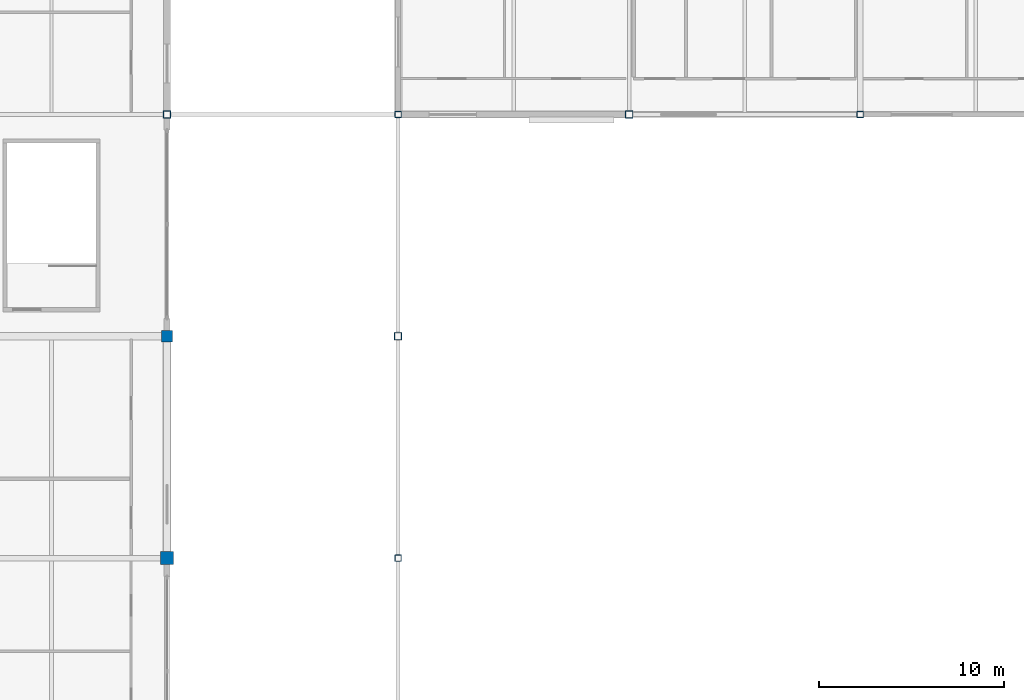
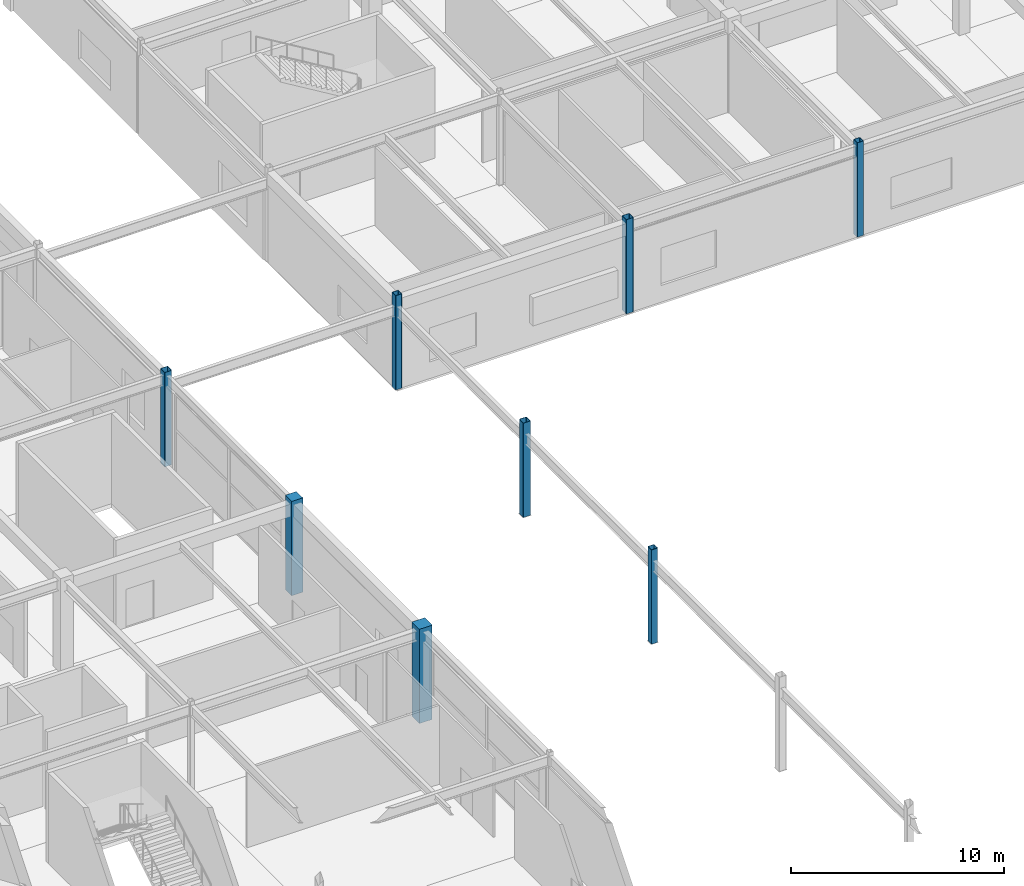
# One storey, part 10 of 105: 8 columns.
"""IFC4 building model written with IfcOpenShell, lengths in metres."""

from ifc_helpers import new_model, si_unit, direction, frame, origin, origin_2d, place, context, subcontext, project, spatial, rectangle, hollow_rectangle, extrude, material, material_profile, profile_set, type_object, element, save


model = new_model("IFC4")

# Units and contexts
model_context = context("Model", 3, precision=1e-05, world=origin(), true_north=direction((0.0, 1.0)))
body_context = subcontext(model_context, "Body", "Model", "MODEL_VIEW")
ifc_project = project(units=[si_unit("LENGTHUNIT", "METRE"), si_unit("AREAUNIT", "SQUARE_METRE"), si_unit("VOLUMEUNIT", "CUBIC_METRE"), si_unit("PLANEANGLEUNIT", "RADIAN"), si_unit("MASSUNIT", "GRAM", prefix="KILO")], contexts=[model_context])

# Site, building, storey
site_placement = place(None, origin())
site = spatial("IfcSite", under=ifc_project, at=site_placement, CompositionType="ELEMENT")
building_placement = place(site_placement, origin())
building = spatial("IfcBuilding", under=site, at=building_placement, Name="Kazenohara Klinker Stadium", CompositionType="ELEMENT")
storey_placement = place(building_placement, frame((0.0, 0.0, 20.39990234375)))
storey = spatial("IfcBuildingStorey", under=building, at=storey_placement, Name="L04", CompositionType="ELEMENT", Elevation=20.39990234375)

# Columns
ifc_material_1 = material(Name="Concrete C40/50", Category="concrete")
ifc_material_profile_1 = material_profile(ifc_material_1, rectangle(XDim=0.699951171875, YDim=0.699951171875, at=origin_2d()), Name="RC-COL-700x700")
ifc_profile_set_1 = profile_set([ifc_material_profile_1], Name="Concrete C40/50")
column_type_1 = type_object("IfcColumnType", Name="COL-RC06", PredefinedType="COLUMN", material=ifc_profile_set_1)
column_1_placement = place(storey_placement, frame((36.5, 108.0, 0.0), z_axis=(0.0, 0.0, 1.0), x_axis=(1.0, 0.0, 0.0)))
element("IfcColumn", 1, at=column_1_placement, inside=storey, type_object=column_type_1, Name="Column C06 L04 4/K", PredefinedType="COLUMN", context=body_context, shape_type="SweptSolid", body=[
    extrude(rectangle(XDim=0.699951171875, YDim=0.699951171875, at=origin_2d()), origin(), (0.0, 0.0, 1.0), 5.400146484375),
])
ifc_material_profile_2 = material_profile(ifc_material_1, rectangle(XDim=0.60009765625, YDim=0.60009765625, at=origin_2d()), Name="RC-COL-600x600")
ifc_profile_set_2 = profile_set([ifc_material_profile_2], Name="Concrete C40/50")
column_type_2 = type_object("IfcColumnType", Name="COL-RC07", PredefinedType="COLUMN", material=ifc_profile_set_2)
column_2_placement = place(storey_placement, frame((36.5, 120.0, 0.0), z_axis=(0.0, 0.0, 1.0), x_axis=(1.0, 0.0, 0.0)))
element("IfcColumn", 2, at=column_2_placement, inside=storey, type_object=column_type_2, Name="Column C07 L04 4/L", PredefinedType="COLUMN", context=body_context, shape_type="SweptSolid", body=[
    extrude(rectangle(XDim=0.60009765625, YDim=0.60009765625, at=origin_2d()), origin(), (0.0, 0.0, 1.0), 5.400146484375),
])
ifc_material_2 = material(Name="Steel S355", Category="steel")
ifc_material_profile_3 = material_profile(ifc_material_2, hollow_rectangle(XDim=0.39990234375, YDim=0.39990234375, WallThickness=0.01611328125, InnerFilletRadius=0.01611328125, OuterFilletRadius=0.031982421875, at=origin_2d()), Name="SHS-400x400x16")
ifc_profile_set_3 = profile_set([ifc_material_profile_3], Name="Steel S355")
column_type_3 = type_object("IfcColumnType", Name="COL-ST01", PredefinedType="COLUMN", material=ifc_profile_set_3)
for number, where, z_axis, x_axis, name in (
    (3, (36.5, 132.0, 0.0), (0.0, 0.0, 1.0), (1.0, 0.0, 0.0), "Column SC01 L04 4/M"),
    (4, (61.5, 132.0, 0.0), (0.0, 0.0, 1.0), (1.0, 0.0, 0.0), "Column SC01 L04 6/M"),
    (5, (49.0, 120.0, 0.0), (0.0, 0.0, 1.0), (1.0, 0.0, 0.0), "Canopy ring support column SC01 L04 5/L"),
):
    element("IfcColumn", number, at=place(storey_placement, frame(where, z_axis=z_axis, x_axis=x_axis)), inside=storey, type_object=column_type_3, Name=name, PredefinedType="COLUMN", context=body_context, shape_type="SweptSolid", body=[
        extrude(hollow_rectangle(XDim=0.39990234375, YDim=0.39990234375, WallThickness=0.01611328125, InnerFilletRadius=0.01611328125, OuterFilletRadius=0.031982421875, at=origin_2d()), origin(), (0.0, 0.0, 1.0), 5.400146484375),
    ])
ifc_material_profile_4 = material_profile(ifc_material_2, hollow_rectangle(XDim=0.35009765625, YDim=0.35009765625, WallThickness=0.01611328125, InnerFilletRadius=0.01611328125, OuterFilletRadius=0.031982421875, at=origin_2d()), Name="SHS-350x350x16")
ifc_profile_set_4 = profile_set([ifc_material_profile_4], Name="Steel S355")
column_type_4 = type_object("IfcColumnType", Name="COL-ST02", PredefinedType="COLUMN", material=ifc_profile_set_4)
for number, where, z_axis, x_axis, name in (
    (6, (49.0, 132.0, 0.0), (0.0, 0.0, 1.0), (1.0, 0.0, 0.0), "Column SC02 L04 5/M"),
    (7, (74.0, 132.0, 0.0), (0.0, 0.0, 1.0), (1.0, 0.0, 0.0), "Column SC02 L04 7/M"),
    (8, (49.0, 108.0, 0.0), (0.0, 0.0, 1.0), (1.0, 0.0, 0.0), "Canopy ring support column SC02 L04 5/K"),
):
    element("IfcColumn", number, at=place(storey_placement, frame(where, z_axis=z_axis, x_axis=x_axis)), inside=storey, type_object=column_type_4, Name=name, PredefinedType="COLUMN", context=body_context, shape_type="SweptSolid", body=[
        extrude(hollow_rectangle(XDim=0.35009765625, YDim=0.35009765625, WallThickness=0.01611328125, InnerFilletRadius=0.01611328125, OuterFilletRadius=0.031982421875, at=origin_2d()), origin(), (0.0, 0.0, 1.0), 5.400146484375),
    ])

save(model, "model.ifc")
